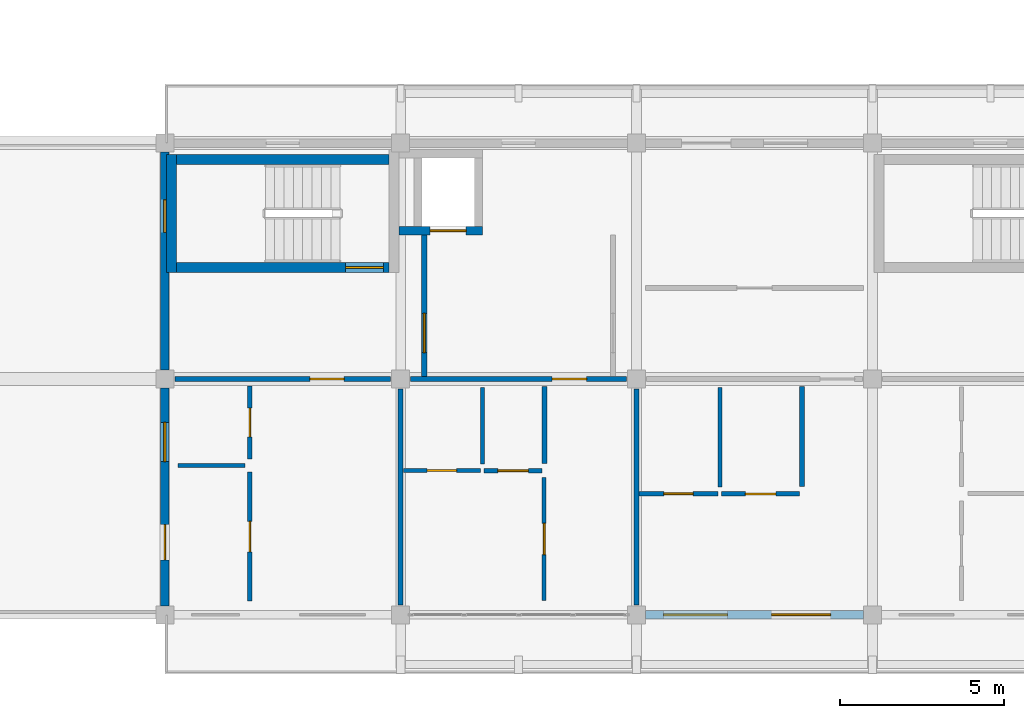
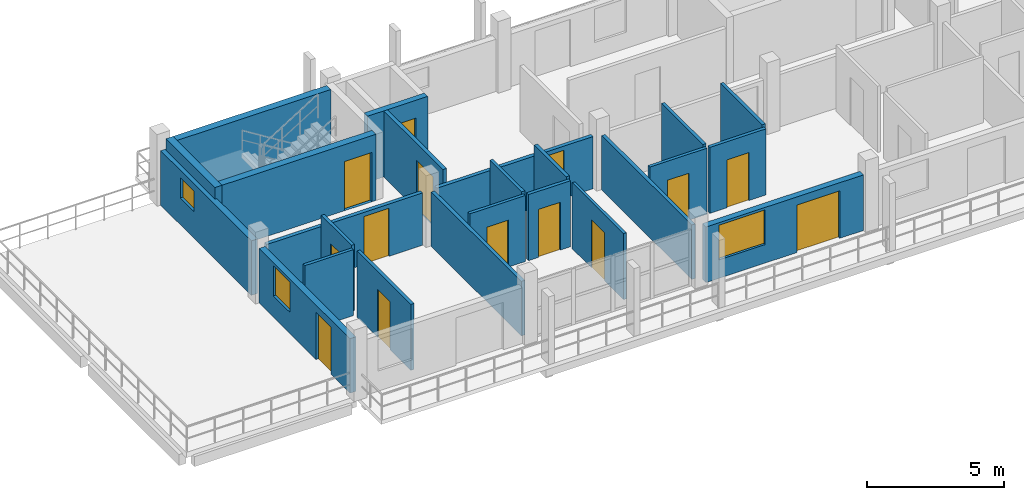
# One storey, part 44 of 65: 24 walls, 14 doors, 3 windows, 17 openings.
"""IFC4 building model written with IfcOpenShell, lengths in metres."""

import ifcopenshell
import ifcopenshell.guid

model = None  # the IFC model being written
_history = None  # IfcOwnerHistory: only IFC2X3 demands one
_inside = {}  # id of a spatial element -> (the spatial element, [elements in it])
_under = {}  # id of a project, library or spatial element -> (it, [spatial elements below it])
_declared = {}  # id of a project -> (the project, [libraries it declares])
_typed = {}  # id of a type object -> (the type object, [elements of that type])
_made_of = {}  # id of a material, layer set ... -> (it, [elements and type objects made of it])


def new_model(schema):
    """Start an empty IFC model of exactly this schema.

    Asked for "IFC4X3", IfcOpenShell would pick the latest addendum, in which some entities
    have other attributes; the version numbers below select the first issue.
    IFC2X3 requires an IfcOwnerHistory on every rooted entity: one is made here for all.
    """
    global model, _history
    if schema == "IFC4X3":
        model = ifcopenshell.file(schema_version=(4, 3, 0, 0))
    else:
        model = ifcopenshell.file(schema=schema)
    _inside.clear()
    _under.clear()
    _declared.clear()
    _typed.clear()
    _made_of.clear()
    _history = None
    if model.schema == "IFC2X3":
        org = make("IfcOrganization", Name="unknown")
        user = make(
            "IfcPersonAndOrganization",
            ThePerson=make("IfcPerson", FamilyName="unknown"),
            TheOrganization=org,
        )
        app = make(
            "IfcApplication",
            ApplicationDeveloper=org,
            Version="unknown",
            ApplicationFullName="unknown",
            ApplicationIdentifier="unknown",
        )
        _history = make(
            "IfcOwnerHistory",
            OwningUser=user,
            OwningApplication=app,
            ChangeAction="ADDED",
            CreationDate=0,
        )
    return model


def make(cls, **values):
    """One entity of the class cls with the attributes given. An attribute that is None is left unset."""
    return model.create_entity(
        cls, **{name: value for name, value in values.items() if value is not None}
    )


def rooted(cls, **values):
    """An entity with a GlobalId (a new one), such as an element, a storey or a relation."""
    return make(cls, GlobalId=ifcopenshell.guid.new(), OwnerHistory=_history, **values)


def si_unit(unit_type, name, prefix=None):
    """IfcSIUnit, for example si_unit("LENGTHUNIT", "METRE", prefix="MILLI")."""
    return make("IfcSIUnit", UnitType=unit_type, Prefix=prefix, Name=name)


def assignment(units):
    """IfcUnitAssignment: the units of a project."""
    return None if units is None else make("IfcUnitAssignment", Units=units)


def point(xyz):
    """IfcCartesianPoint."""
    return None if xyz is None else make("IfcCartesianPoint", Coordinates=xyz)


def direction(xyz):
    """IfcDirection."""
    return None if xyz is None else make("IfcDirection", DirectionRatios=xyz)


def frame(location, z_axis=None, x_axis=None):
    """IfcAxis2Placement3D, a coordinate frame: its origin and axes. An axis left out is left unset."""
    return make(
        "IfcAxis2Placement3D",
        Location=point(location),
        Axis=direction(z_axis),
        RefDirection=direction(x_axis),
    )


def frame_2d(location, x_axis=None):
    """IfcAxis2Placement2D, a coordinate frame in the plane: its origin and x axis."""
    return make(
        "IfcAxis2Placement2D", Location=point(location), RefDirection=direction(x_axis)
    )


def origin():
    """The frame at (0, 0, 0) with its axes left unset."""
    return frame((0.0, 0.0, 0.0))


def place(relative_to, where):
    """IfcLocalPlacement: puts the frame where relative to a parent placement (None: the world)."""
    return make(
        "IfcLocalPlacement", PlacementRelTo=relative_to, RelativePlacement=where
    )


def context(
    kind, dimensions, precision=None, world=None, true_north=None, identifier=None
):
    """IfcGeometricRepresentationContext, for example the 3D "Model" context."""
    return make(
        "IfcGeometricRepresentationContext",
        ContextIdentifier=identifier,
        ContextType=kind,
        CoordinateSpaceDimension=dimensions,
        Precision=precision,
        WorldCoordinateSystem=world,
        TrueNorth=true_north,
    )


def subcontext(parent, identifier, kind, view, scale=None):
    """IfcGeometricRepresentationSubContext, for example "Body" below "Model"."""
    return make(
        "IfcGeometricRepresentationSubContext",
        ContextIdentifier=identifier,
        ContextType=kind,
        ParentContext=parent,
        TargetScale=scale,
        TargetView=view,
    )


def project(units=None, contexts=None):
    """IfcProject with its units and contexts."""
    return rooted(
        "IfcProject",
        Name="project",
        RepresentationContexts=contexts,
        UnitsInContext=assignment(units),
    )


def spatial(cls, under=None, at=None, **own):
    """A site, building, storey or space (cls), placed at a placement, below another one or the project."""
    s = rooted(cls, ObjectPlacement=at, **own)
    if under is not None:
        _under.setdefault(under.id(), (under, []))[1].append(s)
    return s


def profile(cls, at=None, kind="AREA", **sizes):
    """A parametric profile (cls). Its sizes go by their IFC names, for example OverallWidth=200.0."""
    return make(cls, ProfileType=kind, Position=at, **sizes)


def rectangle(**sizes):
    """IfcRectangleProfileDef."""
    return profile("IfcRectangleProfileDef", **sizes)


def extrude(swept, where, along, depth):
    """IfcExtrudedAreaSolid: the profile swept, set in the frame where, extruded along a direction by depth."""
    return make(
        "IfcExtrudedAreaSolid",
        SweptArea=swept,
        Position=where,
        ExtrudedDirection=direction(along),
        Depth=depth,
    )


def shape(context_of_items, identifier, shape_type, items):
    """IfcShapeRepresentation: the items that make up one representation, for example the "Body"."""
    return make(
        "IfcShapeRepresentation",
        ContextOfItems=context_of_items,
        RepresentationIdentifier=identifier,
        RepresentationType=shape_type,
        Items=items,
    )


def material(Name=None, Category=None):
    """IfcMaterial."""
    return make("IfcMaterial", Name=Name, Category=Category)


def layer(
    of_material, thickness, ventilated=None, Name=None, Category=None, Priority=None
):
    """IfcMaterialLayer: one layer of a wall or slab, of a material (None: an air gap)."""
    return make(
        "IfcMaterialLayer",
        Material=of_material,
        LayerThickness=thickness,
        IsVentilated=ventilated,
        Name=Name,
        Category=Category,
        Priority=Priority,
    )


def layer_set(layers, Name=None):
    """IfcMaterialLayerSet."""
    return make("IfcMaterialLayerSet", MaterialLayers=layers, LayerSetName=Name)


def made_of(thing, what):
    """Note that an element or type object is made of a material, layer set ...; save() writes the relation."""
    if what is not None:
        _made_of.setdefault(what.id(), (what, []))[1].append(thing)
    return thing


def type_object(cls, material=None, **own):
    """A type object (cls), such as IfcWallType, which elements share."""
    return made_of(rooted(cls, **own), material)


def element(
    cls,
    number,
    at=None,
    inside=None,
    cuts=None,
    type_object=None,
    material=None,
    context=None,
    identifier="Body",
    shape_type=None,
    held_by="IfcProductDefinitionShape",
    body=None,
    shapes=None,
    **own,
):
    """One element of the class cls, such as IfcWall. Its Tag is "e" and its number.

    at: its placement. inside: the storey or other place that contains it. cuts: it is an
    opening in that element (IfcRelVoidsElement). A single representation is given by context,
    identifier, shape_type and body (its items); several are given by shapes. held_by: the class
    of the entity that holds the representations. save() writes the other relations.
    """
    e = rooted(cls, Tag="e%d" % number, ObjectPlacement=at, **own)
    if body is not None:
        shapes = [shape(context, identifier, shape_type, body)]
    if shapes is not None:
        e.Representation = make(held_by, Representations=shapes)
    if inside is not None:
        _inside.setdefault(inside.id(), (inside, []))[1].append(e)
    if cuts is not None:
        rooted(
            "IfcRelVoidsElement", RelatingBuildingElement=cuts, RelatedOpeningElement=e
        )
    if type_object is not None:
        _typed.setdefault(type_object.id(), (type_object, []))[1].append(e)
    return made_of(e, material)


def fill(opening, filler):
    """IfcRelFillsElement: the door or window that sits in an opening."""
    return rooted(
        "IfcRelFillsElement",
        RelatingOpeningElement=opening,
        RelatedBuildingElement=filler,
    )


def aggregate(whole, parts):
    """IfcRelAggregates: a whole, such as a stair, and the parts it consists of."""
    return rooted("IfcRelAggregates", RelatingObject=whole, RelatedObjects=parts)


def save(model, path):
    """Write the relations noted so far, then the file.

    IfcRelAggregates (storeys below a building ...), IfcRelContainedInSpatialStructure (elements
    in a storey), IfcRelDefinesByType, IfcRelAssociatesMaterial and IfcRelDeclares: one each for
    every whole, place, type object, material and project.
    """
    for whole, parts in _under.values():
        aggregate(whole, parts)
    for where, things in _inside.values():
        rooted(
            "IfcRelContainedInSpatialStructure",
            RelatedElements=things,
            RelatingStructure=where,
        )
    for kind, things in _typed.values():
        rooted("IfcRelDefinesByType", RelatedObjects=things, RelatingType=kind)
    for what, things in _made_of.values():
        rooted("IfcRelAssociatesMaterial", RelatedObjects=things, RelatingMaterial=what)
    for by, libraries in _declared.values():
        rooted("IfcRelDeclares", RelatingContext=by, RelatedDefinitions=libraries)
    model.write(path)


model = new_model("IFC4")

# Units and contexts
model_context = context("Model", 3, precision=1e-05, world=origin(), true_north=direction((0.0, 1.0)))
body_context = subcontext(model_context, "Body", "Model", "MODEL_VIEW")
ifc_project = project(units=[si_unit("LENGTHUNIT", "METRE"), si_unit("AREAUNIT", "SQUARE_METRE"), si_unit("VOLUMEUNIT", "CUBIC_METRE"), si_unit("PLANEANGLEUNIT", "RADIAN"), si_unit("MASSUNIT", "GRAM", prefix="KILO")], contexts=[model_context])

# Site, building, storey
site_placement = place(None, origin())
site = spatial("IfcSite", under=ifc_project, at=site_placement, CompositionType="ELEMENT")
building_placement = place(site_placement, origin())
building = spatial("IfcBuilding", under=site, at=building_placement, Name="Suanplinth Sawtooth Commons", CompositionType="ELEMENT")
storey_placement = place(building_placement, frame((0.0, 0.0, 28.300048828125)))
storey = spatial("IfcBuildingStorey", under=building, at=storey_placement, Name="L08", CompositionType="ELEMENT", Elevation=28.300048828125)

# Wall, opening, door
ifc_material_1 = material(Name="Concrete C40/50", Category="concrete")
ifc_layer_1 = layer(ifc_material_1, 0.300048828125, Name="Standard RC stair and lift core wall 300mm")
ifc_layer_set_1 = layer_set([ifc_layer_1], Name="Concrete C40/50")
wall_type_1 = type_object("IfcWallType", Name="W-CR02", PredefinedType="SHEAR", material=ifc_layer_set_1)
wall_1_placement = place(storey_placement, frame((137.14990234375, 10.60009765625, 0.0), z_axis=(0.0, 0.0, 1.0), x_axis=(1.0, 0.0, 0.0)))
wall_1 = element("IfcWall", 1, at=wall_1_placement, inside=storey, type_object=wall_type_1, Name="W-L08-C-C1-STS", PredefinedType="SHEAR", context=body_context, shape_type="SweptSolid", body=[
    extrude(rectangle(XDim=6.5, YDim=0.300048828125, at=frame_2d((3.25, 0.0))), origin(), (0.0, 0.0, 1.0), 2.949951171875),
])
opening_1_placement = place(wall_1_placement, frame((5.169921875, 0.0, 0.0)))
opening_1 = element("IfcOpeningElement", 2, at=opening_1_placement, cuts=wall_1, Name="Opening FD0312", PredefinedType="OPENING", context=body_context, shape_type="SweptSolid", body=[
    extrude(rectangle(XDim=1.14990234375, YDim=2.199951171875, at=frame_2d((0.574951171875, 1.10009765625))), frame((0.0, 0.1650390625, 0.0), z_axis=(0.0, -1.0, 0.0), x_axis=(1.0, 0.0, 0.0)), (0.0, 0.0, 1.0), 0.329833984375),
])
ifc_material_2 = material(Name="Teak hardwood fire-rated door assembly", Category="wood")
door_type_1 = type_object("IfcDoorType", Name="FD-01", OperationType="NOTDEFINED", PredefinedType="DOOR", material=ifc_material_2)
door_1_placement = place(opening_1_placement, origin())
door_1 = element("IfcDoor", 3, at=door_1_placement, inside=storey, type_object=door_type_1, Name="Exit Stair Fire Door FD0312", OperationType="SINGLE_SWING_RIGHT", OverallHeight=2.199951171875, OverallWidth=1.14990234375, PredefinedType="DOOR", context=body_context, shape_type="SweptSolid", body=[
    extrude(rectangle(XDim=1.14990234375, YDim=2.199951171875, at=frame_2d((0.574951171875, 1.10009765625))), frame((0.0, 0.02490234375, 0.0), z_axis=(0.0, -1.0, 0.0), x_axis=(1.0, 0.0, 0.0)), (0.0, 0.0, 1.0), 0.050048828125),
])
fill(opening_1, door_1)

# Walls
wall_2_placement = place(storey_placement, frame((137.14990234375, 13.89990234375, 0.0), z_axis=(0.0, 0.0, 1.0), x_axis=(1.0, 0.0, 0.0)))
element("IfcWall", 4, at=wall_2_placement, inside=storey, type_object=wall_type_1, Name="W-L08-C-C1-STN", PredefinedType="SHEAR", context=body_context, shape_type="SweptSolid", body=[
    extrude(rectangle(XDim=6.5, YDim=0.300048828125, at=frame_2d((3.25, 0.0))), origin(), (0.0, 0.0, 1.0), 2.949951171875),
])
wall_3_placement = place(storey_placement, frame((137.0, 10.449951171875, 0.0), z_axis=(0.0, 0.0, 1.0), x_axis=(0.0, 1.0, 0.0)))
element("IfcWall", 5, at=wall_3_placement, inside=storey, type_object=wall_type_1, Name="W-L08-C-C1-STW", PredefinedType="SHEAR", context=body_context, shape_type="SweptSolid", body=[
    extrude(rectangle(XDim=3.60009765625, YDim=0.300048828125, at=frame_2d((1.800048828125, 0.0))), origin(), (0.0, 0.0, 1.0), 2.949951171875),
])

# Wall, openings, door, window
ifc_material_3 = material(Name="Precast concrete C40/50", Category="concrete")
ifc_layer_2 = layer(ifc_material_3, 0.260009765625, Name="Insulated precast courtyard facade wall 260mm")
ifc_layer_set_2 = layer_set([ifc_layer_2], Name="Precast concrete C40/50")
wall_type_2 = type_object("IfcWallType", Name="W-EX02", PredefinedType="ELEMENTEDWALL", material=ifc_layer_set_2)
wall_4_placement = place(storey_placement, frame((136.800048828125, 0.27490234375, 0.0), z_axis=(0.0, 0.0, 1.0), x_axis=(0.0, 1.0, 0.0)))
wall_4 = element("IfcWall", 6, at=wall_4_placement, inside=storey, type_object=wall_type_2, Name="Facade Wall W-L08-C-W-19-0", PredefinedType="ELEMENTEDWALL", context=body_context, shape_type="SweptSolid", body=[
    extrude(rectangle(XDim=6.650146484375, YDim=0.260009765625, at=frame_2d((3.3251953125, 0.0))), origin(), (0.0, 0.0, 1.0), 2.43505859375),
])
opening_2_placement = place(wall_4_placement, frame((1.39990234375, 0.0, 0.0)))
opening_2 = element("IfcOpeningElement", 7, at=opening_2_placement, cuts=wall_4, Name="Opening ED0661", PredefinedType="OPENING", context=body_context, shape_type="SweptSolid", body=[
    extrude(rectangle(XDim=1.080078125, YDim=2.1201171875, at=frame_2d((0.5400390625, 1.06005859375))), frame((0.0, 0.14501953125, 0.0), z_axis=(0.0, -1.0, 0.0), x_axis=(1.0, 0.0, 0.0)), (0.0, 0.0, 1.0), 0.289794921875),
])
opening_3_placement = place(wall_4_placement, frame((4.39990234375, 0.0, 0.949951171875)))
opening_3 = element("IfcOpeningElement", 8, at=opening_3_placement, cuts=wall_4, Name="Opening W0741", PredefinedType="OPENING", context=body_context, shape_type="SweptSolid", body=[
    extrude(rectangle(XDim=1.199951171875, YDim=1.35009765625, at=frame_2d((0.60009765625, 0.675048828125))), frame((0.0, 0.14501953125, 0.0), z_axis=(0.0, -1.0, 0.0), x_axis=(1.0, 0.0, 0.0)), (0.0, 0.0, 1.0), 0.289794921875),
])
ifc_material_4 = material(Name="Anodized aluminium and low-E glass", Category="aluminium")
door_type_2 = type_object("IfcDoorType", Name="ED-10", OperationType="NOTDEFINED", PredefinedType="DOOR", material=ifc_material_4)
door_2_placement = place(opening_2_placement, frame((1.080078125, 0.0, 0.0), z_axis=(0.0, 0.0, 1.0), x_axis=(-1.0, 0.0, 0.0)))
door_2 = element("IfcDoor", 9, at=door_2_placement, inside=storey, type_object=door_type_2, Name="L08 Block C Stepped Sky-Terrace Door 1", OperationType="SINGLE_SWING_RIGHT", OverallHeight=2.1201171875, OverallWidth=1.080078125, PredefinedType="DOOR", context=body_context, shape_type="SweptSolid", body=[
    extrude(rectangle(XDim=1.080078125, YDim=2.1201171875, at=frame_2d((0.5400390625, 1.06005859375))), frame((0.0, 0.02490234375, 0.0), z_axis=(0.0, -1.0, 0.0), x_axis=(1.0, 0.0, 0.0)), (0.0, 0.0, 1.0), 0.050048828125),
])
fill(opening_2, door_2)
ifc_material_5 = material(Name="Thermally broken aluminium and low-E double glazing", Category="aluminium")
window_type_1 = type_object("IfcWindowType", Name="WN-03", PartitioningType="SINGLE_PANEL", PredefinedType="WINDOW", material=ifc_material_5)
window_1_placement = place(opening_3_placement, origin())
window_1 = element("IfcWindow", 10, at=window_1_placement, inside=storey, type_object=window_type_1, Name="Terrace Bedroom Window L08-C-19-0", OverallHeight=1.35009765625, OverallWidth=1.199951171875, PartitioningType="SINGLE_PANEL", PredefinedType="WINDOW", context=body_context, shape_type="SweptSolid", body=[
    extrude(rectangle(XDim=1.199951171875, YDim=1.35009765625, at=frame_2d((0.60009765625, 0.675048828125))), frame((0.0, 0.030029296875, 0.0), z_axis=(0.0, -1.0, 0.0), x_axis=(1.0, 0.0, 0.0)), (0.0, 0.0, 1.0), 0.06005859375),
])
fill(opening_3, window_1)

# Wall, opening, window
wall_5_placement = place(storey_placement, frame((136.800048828125, 7.47509765625, 0.0), z_axis=(0.0, 0.0, 1.0), x_axis=(0.0, 1.0, 0.0)))
wall_5 = element("IfcWall", 11, at=wall_5_placement, inside=storey, type_object=wall_type_2, Name="Facade Wall W-L08-C-W-19-1", PredefinedType="ELEMENTEDWALL", context=body_context, shape_type="SweptSolid", body=[
    extrude(rectangle(XDim=6.64990234375, YDim=0.260009765625, at=frame_2d((3.324951171875, 0.0))), origin(), (0.0, 0.0, 1.0), 2.43505859375),
])
opening_4_placement = place(wall_5_placement, frame((4.199951171875, 0.0, 1.199951171875)))
opening_4 = element("IfcOpeningElement", 12, at=opening_4_placement, cuts=wall_5, Name="Opening W0743", PredefinedType="OPENING", context=body_context, shape_type="SweptSolid", body=[
    extrude(rectangle(XDim=1.0, YDim=0.89990234375, at=frame_2d((0.5, 0.449951171875))), frame((0.0, 0.14501953125, 0.0), z_axis=(0.0, -1.0, 0.0), x_axis=(1.0, 0.0, 0.0)), (0.0, 0.0, 1.0), 0.289794921875),
])
window_type_2 = type_object("IfcWindowType", Name="WN-12", PartitioningType="SINGLE_PANEL", PredefinedType="WINDOW", material=ifc_material_5)
window_2_placement = place(opening_4_placement, origin())
window_2 = element("IfcWindow", 13, at=window_2_placement, inside=storey, type_object=window_type_2, Name="Core Daylight Window L08-C-19-1", OverallHeight=0.89990234375, OverallWidth=1.0, PartitioningType="SINGLE_PANEL", PredefinedType="WINDOW", context=body_context, shape_type="SweptSolid", body=[
    extrude(rectangle(XDim=1.0, YDim=0.89990234375, at=frame_2d((0.5, 0.449951171875))), frame((0.0, 0.030029296875, 0.0), z_axis=(0.0, -1.0, 0.0), x_axis=(1.0, 0.0, 0.0)), (0.0, 0.0, 1.0), 0.06005859375),
])
fill(opening_4, window_2)

# Wall, openings, door, window
wall_6_placement = place(storey_placement, frame((151.47509765625, 0.0, 0.0), z_axis=(0.0, 0.0, 1.0), x_axis=(1.0, 0.0, 0.0)))
wall_6 = element("IfcWall", 14, at=wall_6_placement, inside=storey, type_object=wall_type_2, Name="Facade Wall W-L08-C-S-21-0", PredefinedType="ELEMENTEDWALL", context=body_context, shape_type="SweptSolid", body=[
    extrude(rectangle(XDim=6.64990234375, YDim=0.260009765625, at=frame_2d((3.324951171875, 0.0))), origin(), (0.0, 0.0, 1.0), 2.48486328125),
])
opening_5_placement = place(wall_6_placement, frame((3.85009765625, 0.0, 0.0)))
opening_5 = element("IfcOpeningElement", 15, at=opening_5_placement, cuts=wall_6, Name="Opening ED0662", PredefinedType="OPENING", context=body_context, shape_type="SweptSolid", body=[
    extrude(rectangle(XDim=1.800048828125, YDim=2.1201171875, at=frame_2d((0.89990234375, 1.06005859375))), frame((0.0, 0.14501953125, 0.0), z_axis=(0.0, -1.0, 0.0), x_axis=(1.0, 0.0, 0.0)), (0.0, 0.0, 1.0), 0.289794921875),
])
opening_6_placement = place(wall_6_placement, frame((0.550048828125, 0.0, 0.824951171875)))
opening_6 = element("IfcOpeningElement", 16, at=opening_6_placement, cuts=wall_6, Name="Opening W0745", PredefinedType="OPENING", context=body_context, shape_type="SweptSolid", body=[
    extrude(rectangle(XDim=1.949951171875, YDim=1.550048828125, at=frame_2d((0.97509765625, 0.77490234375))), frame((0.0, 0.14501953125, 0.0), z_axis=(0.0, -1.0, 0.0), x_axis=(1.0, 0.0, 0.0)), (0.0, 0.0, 1.0), 0.289794921875),
])
door_type_3 = type_object("IfcDoorType", Name="SD-01", OperationType="SLIDING_TO_LEFT", PredefinedType="DOOR", material=ifc_material_4)
door_3_placement = place(opening_5_placement, frame((1.800048828125, 0.0, 0.0), z_axis=(0.0, 0.0, 1.0), x_axis=(-1.0, 0.0, 0.0)))
door_3 = element("IfcDoor", 17, at=door_3_placement, inside=storey, type_object=door_type_3, Name="Balcony Sliding Door L08-C-21", OperationType="SLIDING_TO_LEFT", OverallHeight=2.1201171875, OverallWidth=1.800048828125, PredefinedType="DOOR", context=body_context, shape_type="SweptSolid", body=[
    extrude(rectangle(XDim=1.800048828125, YDim=2.1201171875, at=frame_2d((0.89990234375, 1.06005859375))), frame((0.0, 0.02490234375, 0.0), z_axis=(0.0, -1.0, 0.0), x_axis=(1.0, 0.0, 0.0)), (0.0, 0.0, 1.0), 0.050048828125),
])
fill(opening_5, door_3)
window_type_3 = type_object("IfcWindowType", Name="WN-18", PartitioningType="DOUBLE_PANEL_VERTICAL", PredefinedType="WINDOW", material=ifc_material_5)
window_3_placement = place(opening_6_placement, origin())
window_3 = element("IfcWindow", 18, at=window_3_placement, inside=storey, type_object=window_type_3, Name="Apartment Window L08-C-21", OverallHeight=1.550048828125, OverallWidth=1.949951171875, PartitioningType="DOUBLE_PANEL_VERTICAL", PredefinedType="WINDOW", context=body_context, shape_type="SweptSolid", body=[
    extrude(rectangle(XDim=1.949951171875, YDim=1.550048828125, at=frame_2d((0.97509765625, 0.77490234375))), frame((0.0, 0.030029296875, 0.0), z_axis=(0.0, -1.0, 0.0), x_axis=(1.0, 0.0, 0.0)), (0.0, 0.0, 1.0), 0.06005859375),
])
fill(opening_6, window_3)

# Wall, opening, door
ifc_layer_3 = layer(ifc_material_3, 0.159912109375, Name="Fire-rated corridor and lobby wall 160mm")
ifc_layer_set_3 = layer_set([ifc_layer_3], Name="Precast concrete C40/50")
wall_type_3 = type_object("IfcWallType", Name="W-FW01", PredefinedType="PARTITIONING", material=ifc_layer_set_3)
wall_7_placement = place(storey_placement, frame((144.719970703125, 7.280029296875, 0.0), z_axis=(0.0, 0.0, 1.0), x_axis=(0.0, 1.0, 0.0)))
wall_7 = element("IfcWall", 19, at=wall_7_placement, inside=storey, type_object=wall_type_3, Name="W-L08-C-C1-LOB-W", PredefinedType="PARTITIONING", context=body_context, shape_type="SweptSolid", body=[
    extrude(rectangle(XDim=4.320068359375, YDim=0.159912109375, at=frame_2d((2.16015625, 0.0))), origin(), (0.0, 0.0, 1.0), 2.949951171875),
])
opening_7_placement = place(wall_7_placement, frame((0.719970703125, 0.0, 0.0)))
opening_7 = element("IfcOpeningElement", 20, at=opening_7_placement, cuts=wall_7, Name="Opening FD0313", PredefinedType="OPENING", context=body_context, shape_type="SweptSolid", body=[
    extrude(rectangle(XDim=1.199951171875, YDim=2.199951171875, at=frame_2d((0.60009765625, 1.10009765625))), frame((0.0, 0.0947265625, 0.0), z_axis=(0.0, -1.0, 0.0), x_axis=(1.0, 0.0, 0.0)), (0.0, 0.0, 1.0), 0.189697265625),
])
door_type_4 = type_object("IfcDoorType", Name="FD-02", OperationType="NOTDEFINED", PredefinedType="DOOR", material=ifc_material_2)
door_4_placement = place(opening_7_placement, origin())
door_4 = element("IfcDoor", 21, at=door_4_placement, inside=storey, type_object=door_type_4, Name="Lobby Fire Door FD0313", OperationType="SINGLE_SWING_LEFT", OverallHeight=2.199951171875, OverallWidth=1.199951171875, PredefinedType="DOOR", context=body_context, shape_type="SweptSolid", body=[
    extrude(rectangle(XDim=1.199951171875, YDim=2.199951171875, at=frame_2d((0.60009765625, 1.10009765625))), frame((0.0, 0.02490234375, 0.0), z_axis=(0.0, -1.0, 0.0), x_axis=(1.0, 0.0, 0.0)), (0.0, 0.0, 1.0), 0.050048828125),
])
fill(opening_7, door_4)

wall_8_placement = place(storey_placement, frame((137.10498046875, 7.199951171875, 0.0), z_axis=(0.0, 0.0, 1.0), x_axis=(1.0, 0.0, 0.0)))
wall_8 = element("IfcWall", 22, at=wall_8_placement, inside=storey, type_object=wall_type_3, Name="W-C-L08-U01-COR", PredefinedType="PARTITIONING", context=body_context, shape_type="SweptSolid", body=[
    extrude(rectangle(XDim=6.590087890625, YDim=0.159912109375, at=frame_2d((3.294921875, 0.0))), origin(), (0.0, 0.0, 1.0), 2.3349609375),
])
opening_8_placement = place(wall_8_placement, frame((4.1201171875, 0.0, 0.0)))
opening_8 = element("IfcOpeningElement", 23, at=opening_8_placement, cuts=wall_8, Name="Opening FD1701", PredefinedType="OPENING", context=body_context, shape_type="SweptSolid", body=[
    extrude(rectangle(XDim=1.050048828125, YDim=2.14990234375, at=frame_2d((0.52490234375, 1.074951171875))), frame((0.0, 0.0947265625, 0.0), z_axis=(0.0, -1.0, 0.0), x_axis=(1.0, 0.0, 0.0)), (0.0, 0.0, 1.0), 0.189697265625),
])
door_type_5 = type_object("IfcDoorType", Name="FD-04", OperationType="NOTDEFINED", PredefinedType="DOOR", material=ifc_material_2)
door_5_placement = place(opening_8_placement, frame((1.050048828125, 0.0, 0.0), z_axis=(0.0, 0.0, 1.0), x_axis=(-1.0, 0.0, 0.0)))
door_5 = element("IfcDoor", 24, at=door_5_placement, inside=storey, type_object=door_type_5, Name="Unit Entrance Door FD1701", OperationType="SINGLE_SWING_LEFT", OverallHeight=2.14990234375, OverallWidth=1.050048828125, PredefinedType="DOOR", context=body_context, shape_type="SweptSolid", body=[
    extrude(rectangle(XDim=1.050048828125, YDim=2.14990234375, at=frame_2d((0.52490234375, 1.074951171875))), frame((0.0, 0.02490234375, 0.0), z_axis=(0.0, -1.0, 0.0), x_axis=(1.0, 0.0, 0.0)), (0.0, 0.0, 1.0), 0.050048828125),
])
fill(opening_8, door_5)

wall_9_placement = place(storey_placement, frame((144.304931640625, 7.199951171875, 0.0), z_axis=(0.0, 0.0, 1.0), x_axis=(1.0, 0.0, 0.0)))
wall_9 = element("IfcWall", 25, at=wall_9_placement, inside=storey, type_object=wall_type_3, Name="W-C-L08-U02-COR", PredefinedType="PARTITIONING", context=body_context, shape_type="SweptSolid", body=[
    extrude(rectangle(XDim=6.590087890625, YDim=0.159912109375, at=frame_2d((3.294921875, 0.0))), origin(), (0.0, 0.0, 1.0), 2.3349609375),
])
opening_9_placement = place(wall_9_placement, frame((4.320068359375, 0.0, 0.0)))
opening_9 = element("IfcOpeningElement", 26, at=opening_9_placement, cuts=wall_9, Name="Opening FD1704", PredefinedType="OPENING", context=body_context, shape_type="SweptSolid", body=[
    extrude(rectangle(XDim=1.050048828125, YDim=2.14990234375, at=frame_2d((0.52490234375, 1.074951171875))), frame((0.0, 0.0947265625, 0.0), z_axis=(0.0, -1.0, 0.0), x_axis=(1.0, 0.0, 0.0)), (0.0, 0.0, 1.0), 0.189697265625),
])
door_6_placement = place(opening_9_placement, frame((1.050048828125, 0.0, 0.0), z_axis=(0.0, 0.0, 1.0), x_axis=(-1.0, 0.0, 0.0)))
door_6 = element("IfcDoor", 27, at=door_6_placement, inside=storey, type_object=door_type_5, Name="Unit Entrance Door FD1704", OperationType="SINGLE_SWING_RIGHT", OverallHeight=2.14990234375, OverallWidth=1.050048828125, PredefinedType="DOOR", context=body_context, shape_type="SweptSolid", body=[
    extrude(rectangle(XDim=1.050048828125, YDim=2.14990234375, at=frame_2d((0.52490234375, 1.074951171875))), frame((0.0, 0.02490234375, 0.0), z_axis=(0.0, -1.0, 0.0), x_axis=(1.0, 0.0, 0.0)), (0.0, 0.0, 1.0), 0.050048828125),
])
fill(opening_9, door_6)

# Walls
ifc_layer_4 = layer(ifc_material_3, 0.14990234375, Name="Acoustic precast party demising wall 150mm")
ifc_layer_set_4 = layer_set([ifc_layer_4], Name="Precast concrete C40/50")
wall_type_4 = type_object("IfcWallType", Name="W-FW02", PredefinedType="PARTITIONING", material=ifc_layer_set_4)
for number, where, z_axis, x_axis, name in (
    (28, (144.0, 0.304931640625, 0.0), (0.0, 0.0, 1.0), (0.0, 1.0, 0.0), "W-C-L08-U01-PTY"),
    (29, (151.199951171875, 0.304931640625, 0.0), (0.0, 0.0, 1.0), (0.0, 1.0, 0.0), "W-C-L08-U02-PTY"),
):
    element("IfcWall", number, at=place(storey_placement, frame(where, z_axis=z_axis, x_axis=x_axis)), inside=storey, type_object=wall_type_4, Name=name, PredefinedType="PARTITIONING", context=body_context, shape_type="SweptSolid", body=[
        extrude(rectangle(XDim=6.590087890625, YDim=0.14990234375, at=frame_2d((3.294921875, 0.0))), origin(), (0.0, 0.0, 1.0), 2.43505859375),
    ])

# Wall, opening, door
ifc_material_6 = material(Name="Gypsum plasterboard on steel stud", Category="steel")
ifc_layer_5 = layer(ifc_material_6, 0.139892578125, Name="Fire-rated kitchen partition 140mm")
ifc_layer_set_5 = layer_set([ifc_layer_5], Name="Gypsum plasterboard on steel stud")
wall_type_5 = type_object("IfcWallType", Name="W-PT01", PredefinedType="PARTITIONING", material=ifc_layer_set_5)
wall_10_placement = place(storey_placement, frame((139.39501953125, 0.419921875, 0.0), z_axis=(0.0, 0.0, 1.0), x_axis=(0.0, 1.0, 0.0)))
wall_10 = element("IfcWall", 30, at=wall_10_placement, inside=storey, type_object=wall_type_5, Name="W-C-L08-U01-KITE", PredefinedType="PARTITIONING", context=body_context, shape_type="SweptSolid", body=[
    extrude(rectangle(XDim=3.940185546875, YDim=0.139892578125, at=frame_2d((1.97021484375, 0.0))), origin(), (0.0, 0.0, 1.0), 2.949951171875),
])
opening_10_placement = place(wall_10_placement, frame((1.5048828125, 0.0, 0.0)))
opening_10 = element("IfcOpeningElement", 31, at=opening_10_placement, cuts=wall_10, Name="Opening D1703", PredefinedType="OPENING", context=body_context, shape_type="SweptSolid", body=[
    extrude(rectangle(XDim=0.929931640625, YDim=2.139892578125, at=frame_2d((0.46484375, 1.06982421875))), frame((0.0, 0.0849609375, 0.0), z_axis=(0.0, -1.0, 0.0), x_axis=(1.0, 0.0, 0.0)), (0.0, 0.0, 1.0), 0.169677734375),
])
ifc_material_7 = material(Name="Teak hardwood", Category="wood")
door_type_6 = type_object("IfcDoorType", Name="D-19", OperationType="NOTDEFINED", PredefinedType="DOOR", material=ifc_material_7)
door_7_placement = place(opening_10_placement, origin())
door_7 = element("IfcDoor", 32, at=door_7_placement, inside=storey, type_object=door_type_6, Name="Kitchen Door D1703", OperationType="SINGLE_SWING_LEFT", OverallHeight=2.139892578125, OverallWidth=0.929931640625, PredefinedType="DOOR", context=body_context, shape_type="SweptSolid", body=[
    extrude(rectangle(XDim=0.929931640625, YDim=2.139892578125, at=frame_2d((0.46484375, 1.06982421875))), frame((0.0, 0.02490234375, 0.0), z_axis=(0.0, -1.0, 0.0), x_axis=(1.0, 0.0, 0.0)), (0.0, 0.0, 1.0), 0.050048828125),
])
fill(opening_10, door_7)

wall_11_placement = place(storey_placement, frame((146.550048828125, 4.39990234375, 0.0), z_axis=(0.0, 0.0, 1.0), x_axis=(1.0, 0.0, 0.0)))
wall_11 = element("IfcWall", 33, at=wall_11_placement, inside=storey, type_object=wall_type_5, Name="W-C-L08-U02-KIT1", PredefinedType="PARTITIONING", context=body_context, shape_type="SweptSolid", body=[
    extrude(rectangle(XDim=1.77001953125, YDim=0.139892578125, at=frame_2d((0.885009765625, 0.0))), origin(), (0.0, 0.0, 1.0), 2.949951171875),
])
opening_11_placement = place(wall_11_placement, frame((0.419921875, 0.0, 0.0)))
opening_11 = element("IfcOpeningElement", 34, at=opening_11_placement, cuts=wall_11, Name="Opening D1706", PredefinedType="OPENING", context=body_context, shape_type="SweptSolid", body=[
    extrude(rectangle(XDim=0.929931640625, YDim=2.139892578125, at=frame_2d((0.46484375, 1.06982421875))), frame((0.0, 0.0849609375, 0.0), z_axis=(0.0, -1.0, 0.0), x_axis=(1.0, 0.0, 0.0)), (0.0, 0.0, 1.0), 0.169677734375),
])
door_8_placement = place(opening_11_placement, origin())
door_8 = element("IfcDoor", 35, at=door_8_placement, inside=storey, type_object=door_type_6, Name="Kitchen Door D1706", OperationType="SINGLE_SWING_RIGHT", OverallHeight=2.139892578125, OverallWidth=0.929931640625, PredefinedType="DOOR", context=body_context, shape_type="SweptSolid", body=[
    extrude(rectangle(XDim=0.929931640625, YDim=2.139892578125, at=frame_2d((0.46484375, 1.06982421875))), frame((0.0, 0.02490234375, 0.0), z_axis=(0.0, -1.0, 0.0), x_axis=(1.0, 0.0, 0.0)), (0.0, 0.0, 1.0), 0.050048828125),
])
fill(opening_11, door_8)

# Wall
wall_12_placement = place(storey_placement, frame((148.389892578125, 4.6201171875, 0.0), z_axis=(0.0, 0.0, 1.0), x_axis=(0.0, 1.0, 0.0)))
element("IfcWall", 36, at=wall_12_placement, inside=storey, type_object=wall_type_5, Name="W-C-L08-U02-KIT2", PredefinedType="PARTITIONING", context=body_context, shape_type="SweptSolid", body=[
    extrude(rectangle(XDim=2.349853515625, YDim=0.139892578125, at=frame_2d((1.1748046875, 0.0))), origin(), (0.0, 0.0, 1.0), 2.949951171875),
])

# Wall, opening, door
wall_13_placement = place(storey_placement, frame((153.800048828125, 3.68994140625, 0.0), z_axis=(0.0, 0.0, 1.0), x_axis=(1.0, 0.0, 0.0)))
wall_13 = element("IfcWall", 37, at=wall_13_placement, inside=storey, type_object=wall_type_5, Name="W-C-L08-U03-KIT1", PredefinedType="PARTITIONING", context=body_context, shape_type="SweptSolid", body=[
    extrude(rectangle(XDim=2.3798828125, YDim=0.139892578125, at=frame_2d((1.18994140625, 0.0))), origin(), (0.0, 0.0, 1.0), 2.949951171875),
])
opening_12_placement = place(wall_13_placement, frame((0.72509765625, 0.0, 0.0)))
opening_12 = element("IfcOpeningElement", 38, at=opening_12_placement, cuts=wall_13, Name="Opening D1710", PredefinedType="OPENING", context=body_context, shape_type="SweptSolid", body=[
    extrude(rectangle(XDim=0.929931640625, YDim=2.139892578125, at=frame_2d((0.46484375, 1.06982421875))), frame((0.0, 0.0849609375, 0.0), z_axis=(0.0, -1.0, 0.0), x_axis=(1.0, 0.0, 0.0)), (0.0, 0.0, 1.0), 0.169677734375),
])
door_9_placement = place(opening_12_placement, origin())
door_9 = element("IfcDoor", 39, at=door_9_placement, inside=storey, type_object=door_type_6, Name="Kitchen Door D1710", OperationType="SINGLE_SWING_RIGHT", OverallHeight=2.139892578125, OverallWidth=0.929931640625, PredefinedType="DOOR", context=body_context, shape_type="SweptSolid", body=[
    extrude(rectangle(XDim=0.929931640625, YDim=2.139892578125, at=frame_2d((0.46484375, 1.06982421875))), frame((0.0, 0.02490234375, 0.0), z_axis=(0.0, -1.0, 0.0), x_axis=(1.0, 0.0, 0.0)), (0.0, 0.0, 1.0), 0.050048828125),
])
fill(opening_12, door_9)

# Walls
wall_14_placement = place(storey_placement, frame((156.25, 3.909912109375, 0.0), z_axis=(0.0, 0.0, 1.0), x_axis=(0.0, 1.0, 0.0)))
element("IfcWall", 40, at=wall_14_placement, inside=storey, type_object=wall_type_5, Name="W-C-L08-U03-KIT2", PredefinedType="PARTITIONING", context=body_context, shape_type="SweptSolid", body=[
    extrude(rectangle(XDim=3.06005859375, YDim=0.139892578125, at=frame_2d((1.530029296875, 0.0))), origin(), (0.0, 0.0, 1.0), 2.949951171875),
])
ifc_layer_6 = layer(ifc_material_6, 0.1298828125, Name="Moisture-resistant bathroom partition 130mm")
ifc_layer_set_6 = layer_set([ifc_layer_6], Name="Gypsum plasterboard on steel stud")
wall_type_6 = type_object("IfcWallType", Name="W-PT02", PredefinedType="PARTITIONING", material=ifc_layer_set_6)
wall_15_placement = place(storey_placement, frame((137.199951171875, 4.56005859375, 0.0), z_axis=(0.0, 0.0, 1.0), x_axis=(1.0, 0.0, 0.0)))
element("IfcWall", 41, at=wall_15_placement, inside=storey, type_object=wall_type_6, Name="W-C-L08-U01-STDIV", PredefinedType="PARTITIONING", context=body_context, shape_type="SweptSolid", body=[
    extrude(rectangle(XDim=2.050048828125, YDim=0.1298828125, at=frame_2d((1.02490234375, 0.0))), origin(), (0.0, 0.0, 1.0), 2.949951171875),
])

# Wall, opening, door
wall_16_placement = place(storey_placement, frame((139.39501953125, 4.760009765625, 0.0), z_axis=(0.0, 0.0, 1.0), x_axis=(0.0, 1.0, 0.0)))
wall_16 = element("IfcWall", 42, at=wall_16_placement, inside=storey, type_object=wall_type_6, Name="W-C-L08-U01-BTHE", PredefinedType="PARTITIONING", context=body_context, shape_type="SweptSolid", body=[
    extrude(rectangle(XDim=2.219970703125, YDim=0.1298828125, at=frame_2d((1.10986328125, 0.0))), origin(), (0.0, 0.0, 1.0), 2.949951171875),
])
opening_13_placement = place(wall_16_placement, frame((0.669921875, 0.0, 0.0)))
opening_13 = element("IfcOpeningElement", 43, at=opening_13_placement, cuts=wall_16, Name="Opening D1702", PredefinedType="OPENING", context=body_context, shape_type="SweptSolid", body=[
    extrude(rectangle(XDim=0.8798828125, YDim=2.10009765625, at=frame_2d((0.43994140625, 1.050048828125))), frame((0.0, 0.079833984375, 0.0), z_axis=(0.0, -1.0, 0.0), x_axis=(1.0, 0.0, 0.0)), (0.0, 0.0, 1.0), 0.15966796875),
])
door_type_7 = type_object("IfcDoorType", Name="D-14", OperationType="NOTDEFINED", PredefinedType="DOOR", material=ifc_material_7)
door_10_placement = place(opening_13_placement, origin())
door_10 = element("IfcDoor", 44, at=door_10_placement, inside=storey, type_object=door_type_7, Name="Bathroom Door D1702", OperationType="SINGLE_SWING_RIGHT", OverallHeight=2.10009765625, OverallWidth=0.8798828125, PredefinedType="DOOR", context=body_context, shape_type="SweptSolid", body=[
    extrude(rectangle(XDim=0.8798828125, YDim=2.10009765625, at=frame_2d((0.43994140625, 1.050048828125))), frame((0.0, 0.02490234375, 0.0), z_axis=(0.0, -1.0, 0.0), x_axis=(1.0, 0.0, 0.0)), (0.0, 0.0, 1.0), 0.050048828125),
])
fill(opening_13, door_10)

wall_17_placement = place(storey_placement, frame((144.080078125, 4.405029296875, 0.0), z_axis=(0.0, 0.0, 1.0), x_axis=(1.0, 0.0, 0.0)))
wall_17 = element("IfcWall", 45, at=wall_17_placement, inside=storey, type_object=wall_type_6, Name="W-C-L08-U02-BTH1", PredefinedType="PARTITIONING", context=body_context, shape_type="SweptSolid", body=[
    extrude(rectangle(XDim=2.349853515625, YDim=0.1298828125, at=frame_2d((1.1748046875, 0.0))), origin(), (0.0, 0.0, 1.0), 2.949951171875),
])
opening_14_placement = place(wall_17_placement, frame((0.72509765625, 0.0, 0.0)))
opening_14 = element("IfcOpeningElement", 46, at=opening_14_placement, cuts=wall_17, Name="Opening D1705", PredefinedType="OPENING", context=body_context, shape_type="SweptSolid", body=[
    extrude(rectangle(XDim=0.89990234375, YDim=2.10009765625, at=frame_2d((0.449951171875, 1.050048828125))), frame((0.0, 0.079833984375, 0.0), z_axis=(0.0, -1.0, 0.0), x_axis=(1.0, 0.0, 0.0)), (0.0, 0.0, 1.0), 0.15966796875),
])
door_type_8 = type_object("IfcDoorType", Name="D-01", OperationType="NOTDEFINED", PredefinedType="DOOR", material=ifc_material_7)
door_11_placement = place(opening_14_placement, origin())
door_11 = element("IfcDoor", 47, at=door_11_placement, inside=storey, type_object=door_type_8, Name="Bathroom Door D1705", OperationType="SINGLE_SWING_LEFT", OverallHeight=2.10009765625, OverallWidth=0.89990234375, PredefinedType="DOOR", context=body_context, shape_type="SweptSolid", body=[
    extrude(rectangle(XDim=0.89990234375, YDim=2.10009765625, at=frame_2d((0.449951171875, 1.050048828125))), frame((0.0, 0.02490234375, 0.0), z_axis=(0.0, -1.0, 0.0), x_axis=(1.0, 0.0, 0.0)), (0.0, 0.0, 1.0), 0.050048828125),
])
fill(opening_14, door_11)

# Wall
wall_18_placement = place(storey_placement, frame((146.4951171875, 4.610107421875, 0.0), z_axis=(0.0, 0.0, 1.0), x_axis=(0.0, 1.0, 0.0)))
element("IfcWall", 48, at=wall_18_placement, inside=storey, type_object=wall_type_6, Name="W-C-L08-U02-BTH2", PredefinedType="PARTITIONING", context=body_context, shape_type="SweptSolid", body=[
    extrude(rectangle(XDim=2.329833984375, YDim=0.1298828125, at=frame_2d((1.1650390625, 0.0))), origin(), (0.0, 0.0, 1.0), 2.949951171875),
])

# Wall, opening, door
wall_19_placement = place(storey_placement, frame((151.280029296875, 3.695068359375, 0.0), z_axis=(0.0, 0.0, 1.0), x_axis=(1.0, 0.0, 0.0)))
wall_19 = element("IfcWall", 49, at=wall_19_placement, inside=storey, type_object=wall_type_6, Name="W-C-L08-U03-BTH1", PredefinedType="PARTITIONING", context=body_context, shape_type="SweptSolid", body=[
    extrude(rectangle(XDim=2.39990234375, YDim=0.1298828125, at=frame_2d((1.199951171875, 0.0))), origin(), (0.0, 0.0, 1.0), 2.949951171875),
])
opening_15_placement = place(wall_19_placement, frame((0.75, 0.0, 0.0)))
opening_15 = element("IfcOpeningElement", 50, at=opening_15_placement, cuts=wall_19, Name="Opening D1709", PredefinedType="OPENING", context=body_context, shape_type="SweptSolid", body=[
    extrude(rectangle(XDim=0.89990234375, YDim=2.10009765625, at=frame_2d((0.449951171875, 1.050048828125))), frame((0.0, 0.079833984375, 0.0), z_axis=(0.0, -1.0, 0.0), x_axis=(1.0, 0.0, 0.0)), (0.0, 0.0, 1.0), 0.15966796875),
])
door_12_placement = place(opening_15_placement, origin())
door_12 = element("IfcDoor", 51, at=door_12_placement, inside=storey, type_object=door_type_8, Name="Bathroom Door D1709", OperationType="SINGLE_SWING_LEFT", OverallHeight=2.10009765625, OverallWidth=0.89990234375, PredefinedType="DOOR", context=body_context, shape_type="SweptSolid", body=[
    extrude(rectangle(XDim=0.89990234375, YDim=2.10009765625, at=frame_2d((0.449951171875, 1.050048828125))), frame((0.0, 0.02490234375, 0.0), z_axis=(0.0, -1.0, 0.0), x_axis=(1.0, 0.0, 0.0)), (0.0, 0.0, 1.0), 0.050048828125),
])
fill(opening_15, door_12)

# Wall
wall_20_placement = place(storey_placement, frame((153.7451171875, 3.89990234375, 0.0), z_axis=(0.0, 0.0, 1.0), x_axis=(0.0, 1.0, 0.0)))
element("IfcWall", 52, at=wall_20_placement, inside=storey, type_object=wall_type_6, Name="W-C-L08-U03-BTH2", PredefinedType="PARTITIONING", context=body_context, shape_type="SweptSolid", body=[
    extrude(rectangle(XDim=3.0400390625, YDim=0.1298828125, at=frame_2d((1.52001953125, 0.0))), origin(), (0.0, 0.0, 1.0), 2.949951171875),
])

# Wall, opening, door
ifc_layer_7 = layer(ifc_material_6, 0.1201171875, Name="Acoustic bedroom partition 120mm")
ifc_layer_set_7 = layer_set([ifc_layer_7], Name="Gypsum plasterboard on steel stud")
wall_type_7 = type_object("IfcWallType", Name="W-PT03", PredefinedType="PARTITIONING", material=ifc_layer_set_7)
wall_21_placement = place(storey_placement, frame((148.3798828125, 0.43994140625, 0.0), z_axis=(0.0, 0.0, 1.0), x_axis=(0.0, 1.0, 0.0)))
wall_21 = element("IfcWall", 53, at=wall_21_placement, inside=storey, type_object=wall_type_7, Name="W-C-L08-U02-BED1", PredefinedType="PARTITIONING", context=body_context, shape_type="SweptSolid", body=[
    extrude(rectangle(XDim=3.75, YDim=0.1201171875, at=frame_2d((1.875, 0.0))), origin(), (0.0, 0.0, 1.0), 2.949951171875),
])
opening_16_placement = place(wall_21_placement, frame((1.39990234375, 0.0, 0.0)))
opening_16 = element("IfcOpeningElement", 54, at=opening_16_placement, cuts=wall_21, Name="Opening D1707", PredefinedType="OPENING", context=body_context, shape_type="SweptSolid", body=[
    extrude(rectangle(XDim=0.949951171875, YDim=2.14990234375, at=frame_2d((0.47509765625, 1.074951171875))), frame((0.0, 0.074951171875, 0.0), z_axis=(0.0, -1.0, 0.0), x_axis=(1.0, 0.0, 0.0)), (0.0, 0.0, 1.0), 0.14990234375),
])
door_type_9 = type_object("IfcDoorType", Name="D-03", OperationType="NOTDEFINED", PredefinedType="DOOR", material=ifc_material_7)
door_13_placement = place(opening_16_placement, origin())
door_13 = element("IfcDoor", 55, at=door_13_placement, inside=storey, type_object=door_type_9, Name="Bedroom Door D1707", OperationType="SINGLE_SWING_LEFT", OverallHeight=2.14990234375, OverallWidth=0.949951171875, PredefinedType="DOOR", context=body_context, shape_type="SweptSolid", body=[
    extrude(rectangle(XDim=0.949951171875, YDim=2.14990234375, at=frame_2d((0.47509765625, 1.074951171875))), frame((0.0, 0.02490234375, 0.0), z_axis=(0.0, -1.0, 0.0), x_axis=(1.0, 0.0, 0.0)), (0.0, 0.0, 1.0), 0.050048828125),
])
fill(opening_16, door_13)

ifc_layer_8 = layer(ifc_material_3, 0.25, Name="Precast structural shear wall 250mm")
ifc_layer_set_8 = layer_set([ifc_layer_8], Name="Precast concrete C40/50")
wall_type_8 = type_object("IfcWallType", Name="W-SH01", PredefinedType="SHEAR", material=ifc_layer_set_8)
wall_22_placement = place(storey_placement, frame((143.949951171875, 11.72509765625, 0.0), z_axis=(0.0, 0.0, 1.0), x_axis=(1.0, 0.0, 0.0)))
wall_22 = element("IfcWall", 56, at=wall_22_placement, inside=storey, type_object=wall_type_8, Name="W-L08-LF5-S", PredefinedType="SHEAR", context=body_context, shape_type="SweptSolid", body=[
    extrude(rectangle(XDim=2.550048828125, YDim=0.25, at=frame_2d((1.27490234375, 0.0))), origin(), (0.0, 0.0, 1.0), 2.949951171875),
])
opening_17_placement = place(wall_22_placement, frame((0.949951171875, 0.0, 0.0)))
opening_17 = element("IfcOpeningElement", 57, at=opening_17_placement, cuts=wall_22, Name="Opening LD0315", PredefinedType="OPENING", context=body_context, shape_type="SweptSolid", body=[
    extrude(rectangle(XDim=1.10009765625, YDim=2.14990234375, at=frame_2d((0.550048828125, 1.074951171875))), frame((0.0, 0.139892578125, 0.0), z_axis=(0.0, -1.0, 0.0), x_axis=(1.0, 0.0, 0.0)), (0.0, 0.0, 1.0), 0.27978515625),
])
ifc_material_8 = material(Name="Stainless steel Grade 304", Category="steel")
door_type_10 = type_object("IfcDoorType", Name="LD-01", OperationType="SLIDING_TO_LEFT", PredefinedType="DOOR", material=ifc_material_8)
door_14_placement = place(opening_17_placement, frame((1.10009765625, 0.0, 0.0), z_axis=(0.0, 0.0, 1.0), x_axis=(-1.0, 0.0, 0.0)))
door_14 = element("IfcDoor", 58, at=door_14_placement, inside=storey, type_object=door_type_10, Name="Lift Landing Sliding Door LF5 L08", OperationType="SLIDING_TO_LEFT", OverallHeight=2.14990234375, OverallWidth=1.10009765625, PredefinedType="DOOR", context=body_context, shape_type="SweptSolid", body=[
    extrude(rectangle(XDim=1.10009765625, YDim=2.14990234375, at=frame_2d((0.550048828125, 1.074951171875))), frame((0.0, 0.02490234375, 0.0), z_axis=(0.0, -1.0, 0.0), x_axis=(1.0, 0.0, 0.0)), (0.0, 0.0, 1.0), 0.050048828125),
])
fill(opening_17, door_14)

save(model, "model.ifc")
